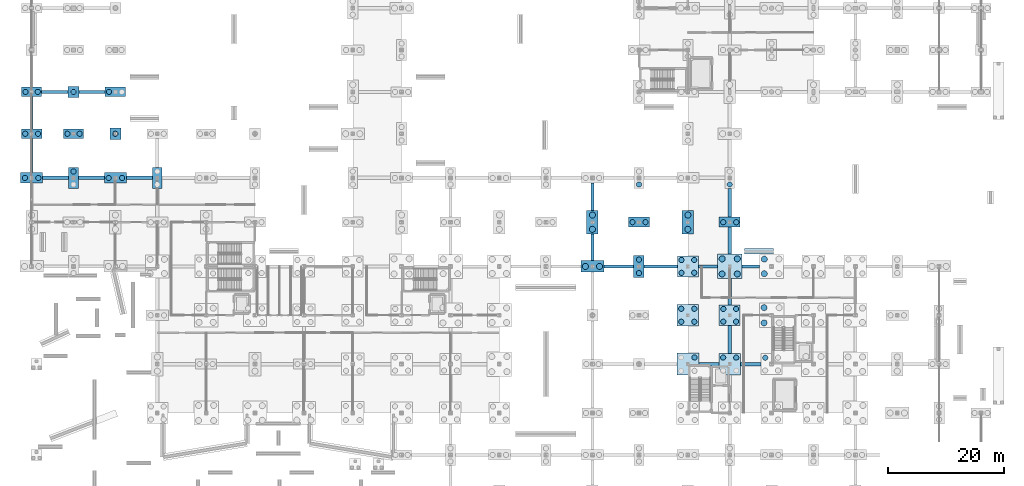
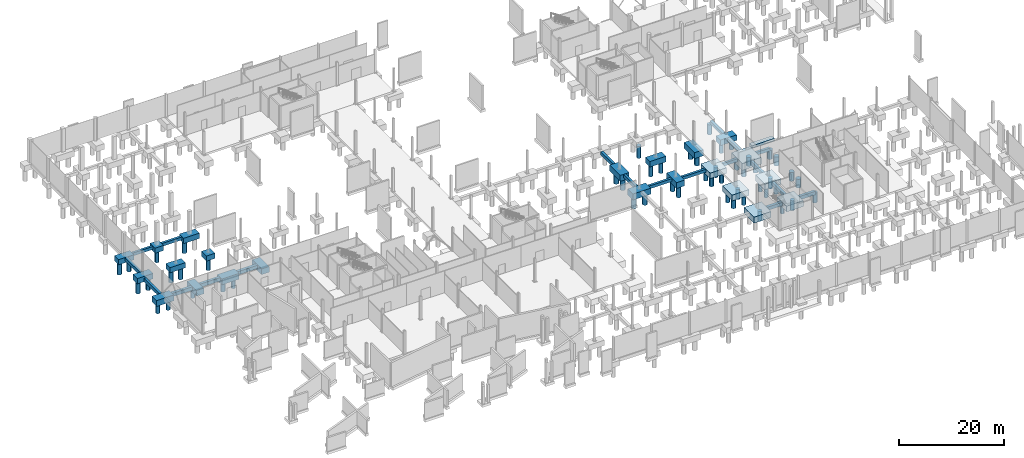
# One storey, part 6 of 61: 52 piles, 42 footings.
"""IFC4 building model written with IfcOpenShell, lengths in metres."""

from ifc_helpers import new_model, si_unit, direction, frame, origin, origin_2d, place, context, subcontext, project, spatial, polyline, rectangle, circle, outline, extrude, material, material_profile, profile_set, type_object, element, save


model = new_model("IFC4")

# Units and contexts
model_context = context("Model", 3, precision=1e-05, world=origin(), true_north=direction((0.0, 1.0)))
body_context = subcontext(model_context, "Body", "Model", "MODEL_VIEW")
ifc_project = project(units=[si_unit("LENGTHUNIT", "METRE"), si_unit("AREAUNIT", "SQUARE_METRE"), si_unit("VOLUMEUNIT", "CUBIC_METRE"), si_unit("PLANEANGLEUNIT", "RADIAN"), si_unit("MASSUNIT", "GRAM", prefix="KILO")], contexts=[model_context])

# Site, building, storey
site_placement = place(None, origin())
site = spatial("IfcSite", under=ifc_project, at=site_placement, CompositionType="ELEMENT")
building_placement = place(site_placement, origin())
building = spatial("IfcBuilding", under=site, at=building_placement, Name="Calvrana Isthmian Art Gallery", CompositionType="ELEMENT")
storey_placement = place(building_placement, frame((0.0, 0.0, -5.39990234375)))
storey = spatial("IfcBuildingStorey", under=building, at=storey_placement, Name="B1", CompositionType="ELEMENT", Elevation=-5.39990234375)

# Footings
ifc_material = material(Name="Concrete C35/45", Category="concrete")
footing_type_1 = type_object("IfcFootingType", Name="FT-PC-170X360X130", PredefinedType="PILE_CAP", material=ifc_material)
for number, where, z_axis, x_axis, name in (
    (1, (7.199951171875, 62.0, -1.75), (0.0, 0.0, 1.0), (1.0, 0.0, 0.0), "Pile cap 02/I"),
    (2, (21.60009765625, 62.0, -1.75), (0.0, 0.0, 1.0), (1.0, 0.0, 0.0), "Pile cap 04/I"),
):
    element("IfcFooting", number, at=place(storey_placement, frame(where, z_axis=z_axis, x_axis=x_axis)), inside=storey, type_object=footing_type_1, Name=name, PredefinedType="PILE_CAP", context=body_context, shape_type="SweptSolid", body=[
        extrude(rectangle(XDim=1.699951171875, YDim=3.60009765625, at=origin_2d()), origin(), (0.0, 0.0, 1.0), 1.300048828125),
    ])
footing_type_2 = type_object("IfcFootingType", Name="FT-PC-180X380X135", PredefinedType="PILE_CAP", material=ifc_material)
footing_1_placement = place(storey_placement, frame((104.39990234375, 46.800048828125, -1.35009765625), z_axis=(0.0, 0.0, 1.0), x_axis=(1.0, 0.0, 0.0)))
element("IfcFooting", 3, at=footing_1_placement, inside=storey, type_object=footing_type_2, Name="Pile cap 14/G", PredefinedType="PILE_CAP", context=body_context, shape_type="SweptSolid", body=[
    extrude(rectangle(XDim=1.800048828125, YDim=3.800048828125, at=origin_2d()), origin(), (0.0, 0.0, 1.0), 1.35009765625),
])
footing_type_3 = type_object("IfcFootingType", Name="FT-PC-190X190X120", PredefinedType="PILE_CAP", material=ifc_material)
for number, where, z_axis, x_axis, name in (
    (4, (7.199951171875, 76.800048828125, -1.2001953125), (0.0, 0.0, 1.0), (1.0, 0.0, 0.0), "Pile cap 02/K"),
    (5, (14.39990234375, 69.60009765625, -1.2001953125), (0.0, 0.0, 1.0), (1.0, 0.0, 0.0), "Pile cap 03/J"),
):
    element("IfcFooting", number, at=place(storey_placement, frame(where, z_axis=z_axis, x_axis=x_axis)), inside=storey, type_object=footing_type_3, Name=name, PredefinedType="PILE_CAP", context=body_context, shape_type="SweptSolid", body=[
        extrude(rectangle(XDim=1.89990234375, YDim=1.89990234375, at=origin_2d()), origin(), (0.0, 0.0, 1.0), 1.199951171875),
    ])
footing_type_4 = type_object("IfcFootingType", Name="FT-PC-200X400X140", PredefinedType="PILE_CAP", material=ifc_material)
for number, where, z_axis, x_axis, name in (
    (6, (96.39990234375, 54.39990234375, -1.400146484375), (0.0, 0.0, 1.0), (1.0, 0.0, 0.0), "Pile cap 13/H"),
    (7, (112.800048828125, 54.39990234375, -1.85009765625), (0.0, 0.0, 1.0), (1.0, 0.0, 0.0), "Pile cap 15/H"),
):
    element("IfcFooting", number, at=place(storey_placement, frame(where, z_axis=z_axis, x_axis=x_axis)), inside=storey, type_object=footing_type_4, Name=name, PredefinedType="PILE_CAP", context=body_context, shape_type="SweptSolid", body=[
        extrude(rectangle(XDim=2.0, YDim=4.0, at=origin_2d()), origin(), (0.0, 0.0, 1.0), 1.39990234375),
    ])
footing_type_5 = type_object("IfcFootingType", Name="FT-PC-340X160X120", PredefinedType="PILE_CAP", material=ifc_material)
for number, where, z_axis, x_axis, name in (
    (8, (0.0, 76.800048828125, -1.2001953125), (0.0, 0.0, 1.0), (1.0, 0.0, 0.0), "Pile cap 01/K"),
    (9, (7.199951171875, 69.60009765625, -1.2001953125), (0.0, 0.0, 1.0), (1.0, 0.0, 0.0), "Pile cap 02/J"),
):
    element("IfcFooting", number, at=place(storey_placement, frame(where, z_axis=z_axis, x_axis=x_axis)), inside=storey, type_object=footing_type_5, Name=name, PredefinedType="PILE_CAP", context=body_context, shape_type="SweptSolid", body=[
        extrude(rectangle(XDim=3.39990234375, YDim=1.60009765625, at=origin_2d()), origin(), (0.0, 0.0, 1.0), 1.199951171875),
    ])
footing_type_6 = type_object("IfcFootingType", Name="FT-PC-350X165X125", PredefinedType="PILE_CAP", material=ifc_material)
for number, where, z_axis, x_axis, name in (
    (10, (0.0, 69.60009765625, -1.25), (0.0, 0.0, 1.0), (1.0, 0.0, 0.0), "Pile cap 01/J"),
    (11, (14.39990234375, 76.800048828125, -1.25), (0.0, 0.0, 1.0), (1.0, 0.0, 0.0), "Pile cap 03/K"),
):
    element("IfcFooting", number, at=place(storey_placement, frame(where, z_axis=z_axis, x_axis=x_axis)), inside=storey, type_object=footing_type_6, Name=name, PredefinedType="PILE_CAP", context=body_context, shape_type="SweptSolid", body=[
        extrude(rectangle(XDim=3.5, YDim=1.64990234375, at=origin_2d()), origin(), (0.0, 0.0, 1.0), 1.25),
    ])
footing_type_7 = type_object("IfcFootingType", Name="FT-PC-360X170X130", PredefinedType="PILE_CAP", material=ifc_material)
for number, where, z_axis, x_axis, name in (
    (12, (104.39990234375, 54.39990234375, -1.30029296875), (0.0, 0.0, 1.0), (1.0, 0.0, 0.0), "Pile cap 14/H"),
    (13, (120.0, 54.39990234375, -1.75), (0.0, 0.0, 1.0), (1.0, 0.0, 0.0), "Pile cap 16/H"),
):
    element("IfcFooting", number, at=place(storey_placement, frame(where, z_axis=z_axis, x_axis=x_axis)), inside=storey, type_object=footing_type_7, Name=name, PredefinedType="PILE_CAP", context=body_context, shape_type="SweptSolid", body=[
        extrude(rectangle(XDim=3.60009765625, YDim=1.699951171875, at=origin_2d()), origin(), (0.0, 0.0, 1.0), 1.300048828125),
    ])
footing_type_8 = type_object("IfcFootingType", Name="FT-PC-360X360X130", PredefinedType="PILE_CAP", material=ifc_material)
for number, where, z_axis, x_axis, name in (
    (14, (112.800048828125, 46.800048828125, -1.75), (0.0, 0.0, 1.0), (1.0, 0.0, 0.0), "Pile cap 15/G"),
    (15, (120.0, 38.39990234375, -1.75), (0.0, 0.0, 1.0), (1.0, 0.0, 0.0), "Pile cap 16/F"),
):
    element("IfcFooting", number, at=place(storey_placement, frame(where, z_axis=z_axis, x_axis=x_axis)), inside=storey, type_object=footing_type_8, Name=name, PredefinedType="PILE_CAP", context=body_context, shape_type="SweptSolid", body=[
        extrude(rectangle(XDim=3.60009765625, YDim=3.60009765625, at=origin_2d()), origin(), (0.0, 0.0, 1.0), 1.300048828125),
    ])
footing_type_9 = type_object("IfcFootingType", Name="FT-PC-370X370X135", PredefinedType="PILE_CAP", material=ifc_material)
for number, where, z_axis, x_axis, name in (
    (16, (112.800048828125, 38.39990234375, -1.800048828125), (0.0, 0.0, 1.0), (1.0, 0.0, 0.0), "Pile cap 15/F"),
    (17, (120.0, 30.0, -1.800048828125), (0.0, 0.0, 1.0), (1.0, 0.0, 0.0), "Pile cap 16/E"),
):
    element("IfcFooting", number, at=place(storey_placement, frame(where, z_axis=z_axis, x_axis=x_axis)), inside=storey, type_object=footing_type_9, Name=name, PredefinedType="PILE_CAP", context=body_context, shape_type="SweptSolid", body=[
        extrude(rectangle(XDim=3.699951171875, YDim=3.699951171875, at=origin_2d()), origin(), (0.0, 0.0, 1.0), 1.35009765625),
    ])
footing_type_10 = type_object("IfcFootingType", Name="FT-PC-380X180X135", PredefinedType="PILE_CAP", material=ifc_material)
for number, where, z_axis, x_axis, name in (
    (18, (0.0, 62.0, -1.800048828125), (0.0, 0.0, 1.0), (1.0, 0.0, 0.0), "Pile cap 01/I"),
    (19, (14.39990234375, 62.0, -1.800048828125), (0.0, 0.0, 1.0), (1.0, 0.0, 0.0), "Pile cap 03/I"),
):
    element("IfcFooting", number, at=place(storey_placement, frame(where, z_axis=z_axis, x_axis=x_axis)), inside=storey, type_object=footing_type_10, Name=name, PredefinedType="PILE_CAP", context=body_context, shape_type="SweptSolid", body=[
        extrude(rectangle(XDim=3.800048828125, YDim=1.800048828125, at=origin_2d()), origin(), (0.0, 0.0, 1.0), 1.35009765625),
    ])
footing_type_11 = type_object("IfcFootingType", Name="FT-PC-380X380X140", PredefinedType="PILE_CAP", material=ifc_material)
footing_2_placement = place(storey_placement, frame((112.800048828125, 30.0, -1.85009765625), z_axis=(0.0, 0.0, 1.0), x_axis=(1.0, 0.0, 0.0)))
element("IfcFooting", 20, at=footing_2_placement, inside=storey, type_object=footing_type_11, Name="Pile cap 15/E", PredefinedType="PILE_CAP", context=body_context, shape_type="SweptSolid", body=[
    extrude(rectangle(XDim=3.800048828125, YDim=3.800048828125, at=origin_2d()), origin(), (0.0, 0.0, 1.0), 1.39990234375),
])
footing_type_12 = type_object("IfcFootingType", Name="FT-PC-400X200X140", PredefinedType="PILE_CAP", material=ifc_material)
footing_3_placement = place(storey_placement, frame((96.39990234375, 46.800048828125, -1.400146484375), z_axis=(0.0, 0.0, 1.0), x_axis=(1.0, 0.0, 0.0)))
element("IfcFooting", 21, at=footing_3_placement, inside=storey, type_object=footing_type_12, Name="Pile cap 13/G", PredefinedType="PILE_CAP", context=body_context, shape_type="SweptSolid", body=[
    extrude(rectangle(XDim=4.0, YDim=2.0, at=origin_2d()), origin(), (0.0, 0.0, 1.0), 1.39990234375),
])
footing_type_13 = type_object("IfcFootingType", Name="FT-PC-420X420X160", PredefinedType="PILE_CAP", material=ifc_material)
footing_4_placement = place(storey_placement, frame((120.0, 46.800048828125, -2.050048828125), z_axis=(0.0, 0.0, 1.0), x_axis=(1.0, 0.0, 0.0)))
element("IfcFooting", 22, at=footing_4_placement, inside=storey, type_object=footing_type_13, Name="Pile cap 16/G", PredefinedType="PILE_CAP", context=body_context, shape_type="SweptSolid", body=[
    extrude(rectangle(XDim=4.199951171875, YDim=4.199951171875, at=origin_2d()), origin(), (0.0, 0.0, 1.0), 1.60009765625),
])
footing_type_14 = type_object("IfcFootingType", Name="FT-SF-1000X600", PredefinedType="STRIP_FOOTING", material=ifc_material)
footing_5_placement = place(storey_placement, frame((0.0, 0.0, -1.050048828125)))
element("IfcFooting", 23, at=footing_5_placement, inside=storey, type_object=footing_type_14, Name="Apron grade wall SLB_APR_ECORT-A strip footing", PredefinedType="STRIP_FOOTING", context=body_context, shape_type="SweptSolid", body=[
    extrude(outline(polyline([(122.5, 48.89990234375), (127.5, 48.89990234375), (127.5, 49.89990234375), (122.5, 49.89990234375), (122.5, 48.89990234375)])), origin(), (0.0, 0.0, 1.0), 0.599853515625),
])
footing_type_15 = type_object("IfcFootingType", Name="FT-TB-500X700", PredefinedType="FOOTING_BEAM", material=ifc_material)
footing_6_placement = place(storey_placement, frame((0.0, 0.0, -0.7001953125)))
element("IfcFooting", 24, at=footing_6_placement, inside=storey, type_object=footing_type_15, Name="Footing tie beam X 00-10", PredefinedType="FOOTING_BEAM", context=body_context, shape_type="SweptSolid", body=[
    extrude(outline(polyline([(1.699951171875, 76.550048828125), (6.25, 76.550048828125), (6.25, 77.050048828125), (1.699951171875, 77.050048828125), (1.699951171875, 76.550048828125)])), origin(), (0.0, 0.0, 1.0), 0.7001953125),
])
footing_7_placement = place(storey_placement, frame((0.0, 0.0, -0.7001953125)))
element("IfcFooting", 25, at=footing_7_placement, inside=storey, type_object=footing_type_15, Name="Footing tie beam X 01-10", PredefinedType="FOOTING_BEAM", context=body_context, shape_type="SweptSolid", body=[
    extrude(outline(polyline([(8.14990234375, 76.550048828125), (12.64990234375, 76.550048828125), (12.64990234375, 77.050048828125), (8.14990234375, 77.050048828125), (8.14990234375, 76.550048828125)])), origin(), (0.0, 0.0, 1.0), 0.7001953125),
])
footing_8_placement = place(storey_placement, frame((0.0, 0.0, -0.7001953125)))
element("IfcFooting", 26, at=footing_8_placement, inside=storey, type_object=footing_type_15, Name="Footing tie beam X 12-06", PredefinedType="FOOTING_BEAM", context=body_context, shape_type="SweptSolid", body=[
    extrude(outline(polyline([(98.39990234375, 46.550048828125), (103.5, 46.550048828125), (103.5, 47.050048828125), (98.39990234375, 47.050048828125), (98.39990234375, 46.550048828125)])), origin(), (0.0, 0.0, 1.0), 0.7001953125),
])
footing_9_placement = place(storey_placement, frame((0.0, 0.0, -1.150146484375)))
element("IfcFooting", 27, at=footing_9_placement, inside=storey, type_object=footing_type_15, Name="Footing tie beam X 13-06", PredefinedType="FOOTING_BEAM", context=body_context, shape_type="SweptSolid", body=[
    extrude(outline(polyline([(105.300048828125, 46.550048828125), (111.0, 46.550048828125), (111.0, 47.050048828125), (105.300048828125, 47.050048828125), (105.300048828125, 46.550048828125)])), origin(), (0.0, 0.0, 1.0), 0.699951171875),
])
footing_10_placement = place(storey_placement, frame((0.0, 0.0, -1.150146484375)))
element("IfcFooting", 28, at=footing_10_placement, inside=storey, type_object=footing_type_15, Name="Footing tie beam X 14-06", PredefinedType="FOOTING_BEAM", context=body_context, shape_type="SweptSolid", body=[
    extrude(outline(polyline([(114.60009765625, 46.550048828125), (117.89990234375, 46.550048828125), (117.89990234375, 47.050048828125), (114.60009765625, 47.050048828125), (114.60009765625, 46.550048828125)])), origin(), (0.0, 0.0, 1.0), 0.699951171875),
])
footing_11_placement = place(storey_placement, frame((0.0, 0.0, -1.150146484375)))
element("IfcFooting", 29, at=footing_11_placement, inside=storey, type_object=footing_type_15, Name="Footing tie beam X 15-06", PredefinedType="FOOTING_BEAM", context=body_context, shape_type="SweptSolid", body=[
    extrude(outline(polyline([(122.10009765625, 46.550048828125), (125.14990234375, 46.550048828125), (125.14990234375, 47.050048828125), (122.10009765625, 47.050048828125), (122.10009765625, 46.550048828125)])), origin(), (0.0, 0.0, 1.0), 0.699951171875),
])
footing_type_16 = type_object("IfcFootingType", Name="FT-TB-550X750", PredefinedType="FOOTING_BEAM", material=ifc_material)
footing_12_placement = place(storey_placement, frame((0.0, 0.0, -1.2001953125)))
element("IfcFooting", 30, at=footing_12_placement, inside=storey, type_object=footing_type_16, Name="Footing tie beam Y 00-08", PredefinedType="FOOTING_BEAM", context=body_context, shape_type="SweptSolid", body=[
    extrude(outline(polyline([(-0.27490234375, 62.89990234375), (0.27490234375, 62.89990234375), (0.27490234375, 68.77490234375), (-0.27490234375, 68.77490234375), (-0.27490234375, 62.89990234375)])), origin(), (0.0, 0.0, 1.0), 0.75),
])
footing_13_placement = place(storey_placement, frame((0.0, 0.0, -0.75)))
element("IfcFooting", 31, at=footing_13_placement, inside=storey, type_object=footing_type_16, Name="Footing tie beam Y 00-09", PredefinedType="FOOTING_BEAM", context=body_context, shape_type="SweptSolid", body=[
    extrude(outline(polyline([(-0.27490234375, 70.425048828125), (0.27490234375, 70.425048828125), (0.27490234375, 76.0), (-0.27490234375, 76.0), (-0.27490234375, 70.425048828125)])), origin(), (0.0, 0.0, 1.0), 0.75),
])
footing_14_placement = place(storey_placement, frame((0.0, 0.0, -0.75)))
element("IfcFooting", 32, at=footing_14_placement, inside=storey, type_object=footing_type_16, Name="Footing tie beam Y 12-06", PredefinedType="FOOTING_BEAM", context=body_context, shape_type="SweptSolid", body=[
    extrude(outline(polyline([(96.125, 47.800048828125), (96.675048828125, 47.800048828125), (96.675048828125, 52.39990234375), (96.125, 52.39990234375), (96.125, 47.800048828125)])), origin(), (0.0, 0.0, 1.0), 0.75),
])
footing_15_placement = place(storey_placement, frame((0.0, 0.0, -0.75)))
element("IfcFooting", 33, at=footing_15_placement, inside=storey, type_object=footing_type_16, Name="Footing tie beam Y 12-07", PredefinedType="FOOTING_BEAM", context=body_context, shape_type="SweptSolid", body=[
    extrude(outline(polyline([(96.125, 56.39990234375), (96.675048828125, 56.39990234375), (96.675048828125, 61.10009765625), (96.125, 61.10009765625), (96.125, 56.39990234375)])), origin(), (0.0, 0.0, 1.0), 0.75),
])
footing_16_placement = place(storey_placement, frame((0.0, 0.0, -1.2001953125)))
element("IfcFooting", 34, at=footing_16_placement, inside=storey, type_object=footing_type_16, Name="Footing tie beam Y 15-04", PredefinedType="FOOTING_BEAM", context=body_context, shape_type="SweptSolid", body=[
    extrude(outline(polyline([(119.72509765625, 31.85009765625), (120.27490234375, 31.85009765625), (120.27490234375, 36.60009765625), (119.72509765625, 36.60009765625), (119.72509765625, 31.85009765625)])), origin(), (0.0, 0.0, 1.0), 0.75),
])
footing_17_placement = place(storey_placement, frame((0.0, 0.0, -1.2001953125)))
element("IfcFooting", 35, at=footing_17_placement, inside=storey, type_object=footing_type_16, Name="Footing tie beam Y 15-05", PredefinedType="FOOTING_BEAM", context=body_context, shape_type="SweptSolid", body=[
    extrude(outline(polyline([(119.72509765625, 40.199951171875), (120.27490234375, 40.199951171875), (120.27490234375, 44.699951171875), (119.72509765625, 44.699951171875), (119.72509765625, 40.199951171875)])), origin(), (0.0, 0.0, 1.0), 0.75),
])
footing_18_placement = place(storey_placement, frame((0.0, 0.0, -1.2001953125)))
element("IfcFooting", 36, at=footing_18_placement, inside=storey, type_object=footing_type_16, Name="Footing tie beam Y 15-06", PredefinedType="FOOTING_BEAM", context=body_context, shape_type="SweptSolid", body=[
    extrude(outline(polyline([(119.72509765625, 48.89990234375), (120.27490234375, 48.89990234375), (120.27490234375, 53.550048828125), (119.72509765625, 53.550048828125), (119.72509765625, 48.89990234375)])), origin(), (0.0, 0.0, 1.0), 0.75),
])
footing_19_placement = place(storey_placement, frame((0.0, 0.0, -1.2001953125)))
element("IfcFooting", 37, at=footing_19_placement, inside=storey, type_object=footing_type_16, Name="Footing tie beam Y 15-07", PredefinedType="FOOTING_BEAM", context=body_context, shape_type="SweptSolid", body=[
    extrude(outline(polyline([(119.72509765625, 55.25), (120.27490234375, 55.25), (120.27490234375, 60.199951171875), (119.72509765625, 60.199951171875), (119.72509765625, 55.25)])), origin(), (0.0, 0.0, 1.0), 0.75),
])
footing_type_17 = type_object("IfcFootingType", Name="FT-TB-600X800", PredefinedType="FOOTING_BEAM", material=ifc_material)
footing_20_placement = place(storey_placement, frame((0.0, 0.0, -1.25)))
element("IfcFooting", 38, at=footing_20_placement, inside=storey, type_object=footing_type_17, Name="Footing tie beam X 00-08", PredefinedType="FOOTING_BEAM", context=body_context, shape_type="SweptSolid", body=[
    extrude(outline(polyline([(1.89990234375, 61.699951171875), (6.35009765625, 61.699951171875), (6.35009765625, 62.300048828125), (1.89990234375, 62.300048828125), (1.89990234375, 61.699951171875)])), origin(), (0.0, 0.0, 1.0), 0.7998046875),
])
footing_21_placement = place(storey_placement, frame((0.0, 0.0, -1.25)))
element("IfcFooting", 39, at=footing_21_placement, inside=storey, type_object=footing_type_17, Name="Footing tie beam X 01-08", PredefinedType="FOOTING_BEAM", context=body_context, shape_type="SweptSolid", body=[
    extrude(outline(polyline([(8.050048828125, 61.699951171875), (12.5, 61.699951171875), (12.5, 62.300048828125), (8.050048828125, 62.300048828125), (8.050048828125, 61.699951171875)])), origin(), (0.0, 0.0, 1.0), 0.7998046875),
])
footing_22_placement = place(storey_placement, frame((0.0, 0.0, -1.25)))
element("IfcFooting", 40, at=footing_22_placement, inside=storey, type_object=footing_type_17, Name="Footing tie beam X 02-08", PredefinedType="FOOTING_BEAM", context=body_context, shape_type="SweptSolid", body=[
    extrude(outline(polyline([(16.300048828125, 61.699951171875), (20.75, 61.699951171875), (20.75, 62.300048828125), (16.300048828125, 62.300048828125), (16.300048828125, 61.699951171875)])), origin(), (0.0, 0.0, 1.0), 0.7998046875),
])
footing_23_placement = place(storey_placement, frame((0.0, 0.0, -1.25)))
element("IfcFooting", 41, at=footing_23_placement, inside=storey, type_object=footing_type_17, Name="Footing tie beam X 14-04", PredefinedType="FOOTING_BEAM", context=body_context, shape_type="SweptSolid", body=[
    extrude(outline(polyline([(114.699951171875, 29.699951171875), (118.14990234375, 29.699951171875), (118.14990234375, 30.300048828125), (114.699951171875, 30.300048828125), (114.699951171875, 29.699951171875)])), origin(), (0.0, 0.0, 1.0), 0.7998046875),
])
footing_24_placement = place(storey_placement, frame((0.0, 0.0, -1.25)))
element("IfcFooting", 42, at=footing_24_placement, inside=storey, type_object=footing_type_17, Name="Footing tie beam X 15-04", PredefinedType="FOOTING_BEAM", context=body_context, shape_type="SweptSolid", body=[
    extrude(outline(polyline([(121.85009765625, 29.699951171875), (125.39990234375, 29.699951171875), (125.39990234375, 30.300048828125), (121.85009765625, 30.300048828125), (121.85009765625, 29.699951171875)])), origin(), (0.0, 0.0, 1.0), 0.7998046875),
])

# Piles
ifc_material_profile_1 = material_profile(ifc_material, circle(Radius=0.52490234375, at=origin_2d()), Name="PILE1050D")
ifc_profile_set_1 = profile_set([ifc_material_profile_1], Name="Concrete C35/45")
pile_type_1 = type_object("IfcPileType", Name="PILE-D1050", PredefinedType="BORED", material=ifc_profile_set_1)
for number, where, z_axis, x_axis, name in (
    (43, (95.179931640625, 46.800048828125, -1.300048828125), (0.0, 0.0, -1.0), (1.0, 0.0, 0.0), "Bored pile PL-304"),
    (44, (97.6201171875, 46.800048828125, -1.300048828125), (0.0, 0.0, -1.0), (1.0, 0.0, 0.0), "Bored pile PL-305"),
    (45, (96.39990234375, 53.179931640625, -1.300048828125), (0.0, 0.0, -1.0), (1.0, 0.0, 0.0), "Bored pile PL-306"),
    (46, (96.39990234375, 55.6201171875, -1.300048828125), (0.0, 0.0, -1.0), (1.0, 0.0, 0.0), "Bored pile PL-307"),
):
    element("IfcPile", number, at=place(storey_placement, frame(where, z_axis=z_axis, x_axis=x_axis)), inside=storey, type_object=pile_type_1, Name=name, PredefinedType="BORED", context=body_context, shape_type="SweptSolid", body=[
        extrude(circle(Radius=0.52490234375, at=origin_2d()), origin(), (0.0, 0.0, 1.0), 2.699951171875),
    ])
for number, where, z_axis, x_axis, name in (
    (47, (112.800048828125, 53.179931640625, -1.75), (0.0, 0.0, -1.0), (1.0, 0.0, 0.0), "Bored pile PL-357"),
    (48, (112.800048828125, 55.6201171875, -1.75), (0.0, 0.0, -1.0), (1.0, 0.0, 0.0), "Bored pile PL-358"),
):
    element("IfcPile", number, at=place(storey_placement, frame(where, z_axis=z_axis, x_axis=x_axis)), inside=storey, type_object=pile_type_1, Name=name, PredefinedType="BORED", context=body_context, shape_type="SweptSolid", body=[
        extrude(circle(Radius=0.52490234375, at=origin_2d()), origin(), (0.0, 0.0, 1.0), 2.25),
    ])
for number, where, z_axis, x_axis, name in (
    (49, (118.699951171875, 45.5, -1.9501953125), (0.0, 0.0, -1.0), (1.0, 0.0, 0.0), "Bored pile PL-389"),
    (50, (121.300048828125, 45.5, -1.9501953125), (0.0, 0.0, -1.0), (1.0, 0.0, 0.0), "Bored pile PL-390"),
    (51, (118.699951171875, 48.10009765625, -1.9501953125), (0.0, 0.0, -1.0), (1.0, 0.0, 0.0), "Bored pile PL-391"),
    (52, (121.300048828125, 48.10009765625, -1.9501953125), (0.0, 0.0, -1.0), (1.0, 0.0, 0.0), "Bored pile PL-392"),
    (53, (125.89990234375, 37.10009765625, -1.9501953125), (0.0, 0.0, -1.0), (1.0, 0.0, 0.0), "Bored pile PL-421"),
    (54, (125.89990234375, 39.699951171875, -1.9501953125), (0.0, 0.0, -1.0), (1.0, 0.0, 0.0), "Bored pile PL-423"),
):
    element("IfcPile", number, at=place(storey_placement, frame(where, z_axis=z_axis, x_axis=x_axis)), inside=storey, type_object=pile_type_1, Name=name, PredefinedType="BORED", context=body_context, shape_type="SweptSolid", body=[
        extrude(circle(Radius=0.52490234375, at=origin_2d()), origin(), (0.0, 0.0, 1.0), 2.050048828125),
    ])
for number, where, z_axis, x_axis, name in (
    (55, (125.949951171875, 45.550048828125, -1.900146484375), (0.0, 0.0, -1.0), (1.0, 0.0, 0.0), "Bored pile PL-425"),
    (56, (125.949951171875, 48.050048828125, -1.900146484375), (0.0, 0.0, -1.0), (1.0, 0.0, 0.0), "Bored pile PL-427"),
):
    element("IfcPile", number, at=place(storey_placement, frame(where, z_axis=z_axis, x_axis=x_axis)), inside=storey, type_object=pile_type_1, Name=name, PredefinedType="BORED", context=body_context, shape_type="SweptSolid", body=[
        extrude(circle(Radius=0.52490234375, at=origin_2d()), origin(), (0.0, 0.0, 1.0), 2.10009765625),
    ])
ifc_material_profile_2 = material_profile(ifc_material, circle(Radius=0.449951171875, at=origin_2d()), Name="PILE900D")
ifc_profile_set_2 = profile_set([ifc_material_profile_2], Name="Concrete C35/45")
pile_type_2 = type_object("IfcPileType", Name="PILE-D900", PredefinedType="BORED", material=ifc_profile_set_2)
for number, where, z_axis, x_axis, name in (
    (57, (-1.14990234375, 62.0, -1.7001953125), (0.0, 0.0, -1.0), (1.0, 0.0, 0.0), "Bored pile PL-005"),
    (58, (1.14990234375, 62.0, -1.7001953125), (0.0, 0.0, -1.0), (1.0, 0.0, 0.0), "Bored pile PL-006"),
):
    element("IfcPile", number, at=place(storey_placement, frame(where, z_axis=z_axis, x_axis=x_axis)), inside=storey, type_object=pile_type_2, Name=name, PredefinedType="BORED", context=body_context, shape_type="SweptSolid", body=[
        extrude(circle(Radius=0.449951171875, at=origin_2d()), origin(), (0.0, 0.0, 1.0), 2.300048828125),
    ])
for number, where, z_axis, x_axis, name in (
    (59, (-1.10009765625, 69.60009765625, -1.150146484375), (0.0, 0.0, -1.0), (1.0, 0.0, 0.0), "Bored pile PL-007"),
    (60, (1.10009765625, 69.60009765625, -1.150146484375), (0.0, 0.0, -1.0), (1.0, 0.0, 0.0), "Bored pile PL-008"),
):
    element("IfcPile", number, at=place(storey_placement, frame(where, z_axis=z_axis, x_axis=x_axis)), inside=storey, type_object=pile_type_2, Name=name, PredefinedType="BORED", context=body_context, shape_type="SweptSolid", body=[
        extrude(circle(Radius=0.449951171875, at=origin_2d()), origin(), (0.0, 0.0, 1.0), 2.85009765625),
    ])
for number, where, z_axis, x_axis, name in (
    (61, (-1.050048828125, 76.800048828125, -1.10009765625), (0.0, 0.0, -1.0), (1.0, 0.0, 0.0), "Bored pile PL-009"),
    (62, (1.050048828125, 76.800048828125, -1.10009765625), (0.0, 0.0, -1.0), (1.0, 0.0, 0.0), "Bored pile PL-010"),
):
    element("IfcPile", number, at=place(storey_placement, frame(where, z_axis=z_axis, x_axis=x_axis)), inside=storey, type_object=pile_type_2, Name=name, PredefinedType="BORED", context=body_context, shape_type="SweptSolid", body=[
        extrude(circle(Radius=0.449951171875, at=origin_2d()), origin(), (0.0, 0.0, 1.0), 2.89990234375),
    ])
pile_1_placement = place(storey_placement, frame((7.199951171875, 63.1201171875, -1.650146484375), z_axis=(0.0, 0.0, -1.0), x_axis=(1.0, 0.0, 0.0)))
element("IfcPile", 63, at=pile_1_placement, inside=storey, type_object=pile_type_2, Name="Bored pile PL-024", PredefinedType="BORED", context=body_context, shape_type="SweptSolid", body=[
    extrude(circle(Radius=0.449951171875, at=origin_2d()), origin(), (0.0, 0.0, 1.0), 2.35009765625),
])
for number, where, z_axis, x_axis, name in (
    (64, (6.14990234375, 69.60009765625, -1.10009765625), (0.0, 0.0, -1.0), (1.0, 0.0, 0.0), "Bored pile PL-025"),
    (65, (8.25, 69.60009765625, -1.10009765625), (0.0, 0.0, -1.0), (1.0, 0.0, 0.0), "Bored pile PL-026"),
    (66, (7.199951171875, 76.800048828125, -1.10009765625), (0.0, 0.0, -1.0), (1.0, 0.0, 0.0), "Bored pile PL-027"),
):
    element("IfcPile", number, at=place(storey_placement, frame(where, z_axis=z_axis, x_axis=x_axis)), inside=storey, type_object=pile_type_2, Name=name, PredefinedType="BORED", context=body_context, shape_type="SweptSolid", body=[
        extrude(circle(Radius=0.449951171875, at=origin_2d()), origin(), (0.0, 0.0, 1.0), 2.89990234375),
    ])
for number, where, z_axis, x_axis, name in (
    (67, (13.25, 62.0, -1.7001953125), (0.0, 0.0, -1.0), (1.0, 0.0, 0.0), "Bored pile PL-042"),
    (68, (15.550048828125, 62.0, -1.7001953125), (0.0, 0.0, -1.0), (1.0, 0.0, 0.0), "Bored pile PL-043"),
):
    element("IfcPile", number, at=place(storey_placement, frame(where, z_axis=z_axis, x_axis=x_axis)), inside=storey, type_object=pile_type_2, Name=name, PredefinedType="BORED", context=body_context, shape_type="SweptSolid", body=[
        extrude(circle(Radius=0.449951171875, at=origin_2d()), origin(), (0.0, 0.0, 1.0), 2.300048828125),
    ])
pile_2_placement = place(storey_placement, frame((14.39990234375, 69.60009765625, -1.10009765625), z_axis=(0.0, 0.0, -1.0), x_axis=(1.0, 0.0, 0.0)))
element("IfcPile", 69, at=pile_2_placement, inside=storey, type_object=pile_type_2, Name="Bored pile PL-044", PredefinedType="BORED", context=body_context, shape_type="SweptSolid", body=[
    extrude(circle(Radius=0.449951171875, at=origin_2d()), origin(), (0.0, 0.0, 1.0), 2.89990234375),
])
pile_3_placement = place(storey_placement, frame((13.300048828125, 76.800048828125, -1.150146484375), z_axis=(0.0, 0.0, -1.0), x_axis=(1.0, 0.0, 0.0)))
element("IfcPile", 70, at=pile_3_placement, inside=storey, type_object=pile_type_2, Name="Bored pile PL-045", PredefinedType="BORED", context=body_context, shape_type="SweptSolid", body=[
    extrude(circle(Radius=0.449951171875, at=origin_2d()), origin(), (0.0, 0.0, 1.0), 2.85009765625),
])
for number, where, z_axis, x_axis, name in (
    (71, (104.39990234375, 45.64990234375, -1.25), (0.0, 0.0, -1.0), (1.0, 0.0, 0.0), "Bored pile PL-321"),
    (72, (104.39990234375, 47.949951171875, -1.25), (0.0, 0.0, -1.0), (1.0, 0.0, 0.0), "Bored pile PL-322"),
):
    element("IfcPile", number, at=place(storey_placement, frame(where, z_axis=z_axis, x_axis=x_axis)), inside=storey, type_object=pile_type_2, Name=name, PredefinedType="BORED", context=body_context, shape_type="SweptSolid", body=[
        extrude(circle(Radius=0.449951171875, at=origin_2d()), origin(), (0.0, 0.0, 1.0), 2.75),
    ])
for number, where, z_axis, x_axis, name in (
    (73, (103.280029296875, 54.39990234375, -1.2001953125), (0.0, 0.0, -1.0), (1.0, 0.0, 0.0), "Bored pile PL-323"),
    (74, (105.52001953125, 54.39990234375, -1.2001953125), (0.0, 0.0, -1.0), (1.0, 0.0, 0.0), "Bored pile PL-324"),
    (75, (104.39990234375, 60.8798828125, -1.2001953125), (0.0, 0.0, -1.0), (1.0, 0.0, 0.0), "Bored pile PL-325"),
):
    element("IfcPile", number, at=place(storey_placement, frame(where, z_axis=z_axis, x_axis=x_axis)), inside=storey, type_object=pile_type_2, Name=name, PredefinedType="BORED", context=body_context, shape_type="SweptSolid", body=[
        extrude(circle(Radius=0.449951171875, at=origin_2d()), origin(), (0.0, 0.0, 1.0), 2.800048828125),
    ])
pile_4_placement = place(storey_placement, frame((113.949951171875, 31.14990234375, -1.75), z_axis=(0.0, 0.0, -1.0), x_axis=(1.0, 0.0, 0.0)))
element("IfcPile", 76, at=pile_4_placement, inside=storey, type_object=pile_type_2, Name="Bored pile PL-348", PredefinedType="BORED", context=body_context, shape_type="SweptSolid", body=[
    extrude(circle(Radius=0.449951171875, at=origin_2d()), origin(), (0.0, 0.0, 1.0), 2.25),
])
for number, where, z_axis, x_axis, name in (
    (77, (111.679931640625, 37.280029296875, -1.7001953125), (0.0, 0.0, -1.0), (1.0, 0.0, 0.0), "Bored pile PL-349"),
    (78, (113.919921875, 37.280029296875, -1.7001953125), (0.0, 0.0, -1.0), (1.0, 0.0, 0.0), "Bored pile PL-350"),
    (79, (111.679931640625, 39.52001953125, -1.7001953125), (0.0, 0.0, -1.0), (1.0, 0.0, 0.0), "Bored pile PL-351"),
    (80, (113.919921875, 39.52001953125, -1.7001953125), (0.0, 0.0, -1.0), (1.0, 0.0, 0.0), "Bored pile PL-352"),
):
    element("IfcPile", number, at=place(storey_placement, frame(where, z_axis=z_axis, x_axis=x_axis)), inside=storey, type_object=pile_type_2, Name=name, PredefinedType="BORED", context=body_context, shape_type="SweptSolid", body=[
        extrude(circle(Radius=0.449951171875, at=origin_2d()), origin(), (0.0, 0.0, 1.0), 2.300048828125),
    ])
for number, where, z_axis, x_axis, name in (
    (81, (111.699951171875, 45.699951171875, -1.650146484375), (0.0, 0.0, -1.0), (1.0, 0.0, 0.0), "Bored pile PL-353"),
    (82, (113.89990234375, 45.699951171875, -1.650146484375), (0.0, 0.0, -1.0), (1.0, 0.0, 0.0), "Bored pile PL-354"),
    (83, (111.699951171875, 47.89990234375, -1.650146484375), (0.0, 0.0, -1.0), (1.0, 0.0, 0.0), "Bored pile PL-355"),
    (84, (113.89990234375, 47.89990234375, -1.650146484375), (0.0, 0.0, -1.0), (1.0, 0.0, 0.0), "Bored pile PL-356"),
):
    element("IfcPile", number, at=place(storey_placement, frame(where, z_axis=z_axis, x_axis=x_axis)), inside=storey, type_object=pile_type_2, Name=name, PredefinedType="BORED", context=body_context, shape_type="SweptSolid", body=[
        extrude(circle(Radius=0.449951171875, at=origin_2d()), origin(), (0.0, 0.0, 1.0), 2.35009765625),
    ])
for number, where, z_axis, x_axis, name in (
    (85, (118.8798828125, 31.1201171875, -1.7001953125), (0.0, 0.0, -1.0), (1.0, 0.0, 0.0), "Bored pile PL-383"),
    (86, (121.1201171875, 31.1201171875, -1.7001953125), (0.0, 0.0, -1.0), (1.0, 0.0, 0.0), "Bored pile PL-384"),
):
    element("IfcPile", number, at=place(storey_placement, frame(where, z_axis=z_axis, x_axis=x_axis)), inside=storey, type_object=pile_type_2, Name=name, PredefinedType="BORED", context=body_context, shape_type="SweptSolid", body=[
        extrude(circle(Radius=0.449951171875, at=origin_2d()), origin(), (0.0, 0.0, 1.0), 2.300048828125),
    ])
for number, where, z_axis, x_axis, name in (
    (87, (118.89990234375, 37.300048828125, -1.650146484375), (0.0, 0.0, -1.0), (1.0, 0.0, 0.0), "Bored pile PL-385"),
    (88, (121.10009765625, 37.300048828125, -1.650146484375), (0.0, 0.0, -1.0), (1.0, 0.0, 0.0), "Bored pile PL-386"),
    (89, (118.89990234375, 39.5, -1.650146484375), (0.0, 0.0, -1.0), (1.0, 0.0, 0.0), "Bored pile PL-387"),
    (90, (121.10009765625, 39.5, -1.650146484375), (0.0, 0.0, -1.0), (1.0, 0.0, 0.0), "Bored pile PL-388"),
    (91, (118.8798828125, 54.39990234375, -1.650146484375), (0.0, 0.0, -1.0), (1.0, 0.0, 0.0), "Bored pile PL-393"),
    (92, (121.1201171875, 54.39990234375, -1.650146484375), (0.0, 0.0, -1.0), (1.0, 0.0, 0.0), "Bored pile PL-394"),
    (93, (120.0, 60.8798828125, -1.650146484375), (0.0, 0.0, -1.0), (1.0, 0.0, 0.0), "Bored pile PL-395"),
    (94, (126.10009765625, 31.10009765625, -1.650146484375), (0.0, 0.0, -1.0), (1.0, 0.0, 0.0), "Bored pile PL-419"),
):
    element("IfcPile", number, at=place(storey_placement, frame(where, z_axis=z_axis, x_axis=x_axis)), inside=storey, type_object=pile_type_2, Name=name, PredefinedType="BORED", context=body_context, shape_type="SweptSolid", body=[
        extrude(circle(Radius=0.449951171875, at=origin_2d()), origin(), (0.0, 0.0, 1.0), 2.35009765625),
    ])

save(model, "model.ifc")
